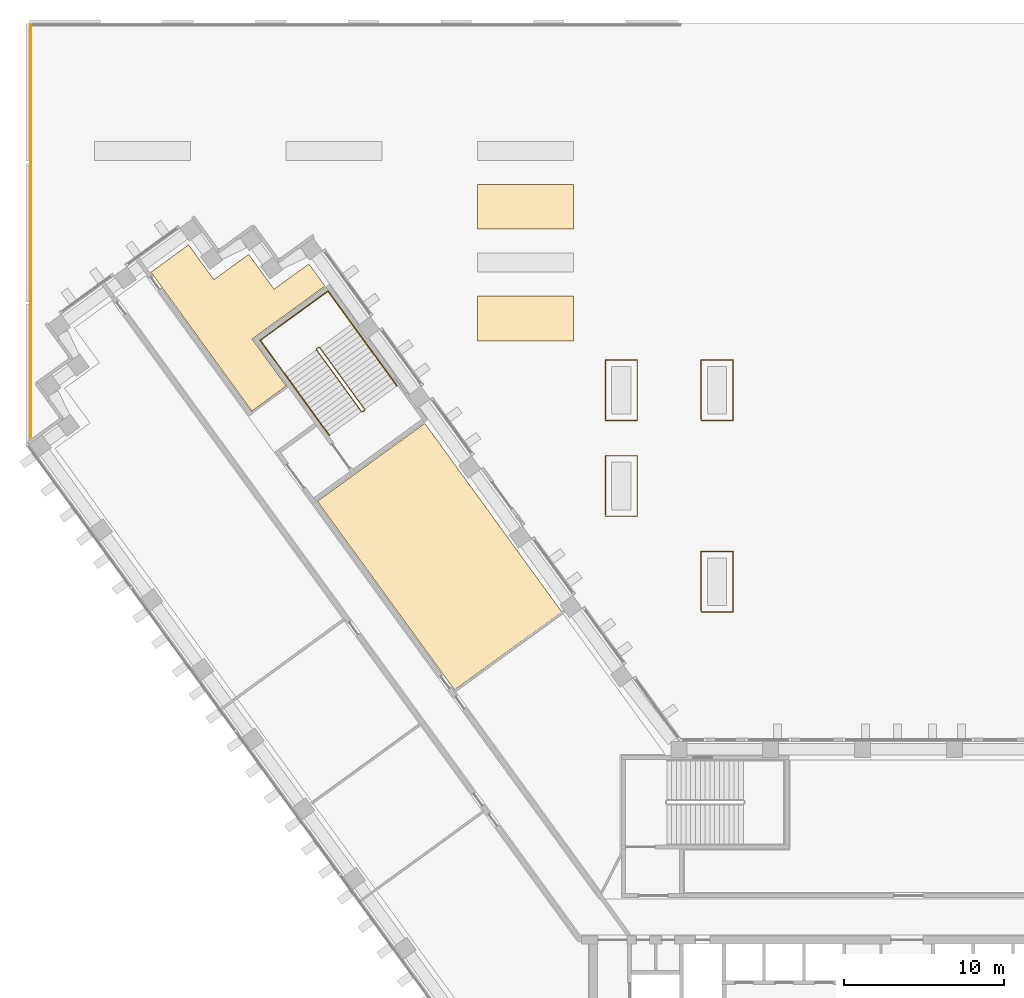
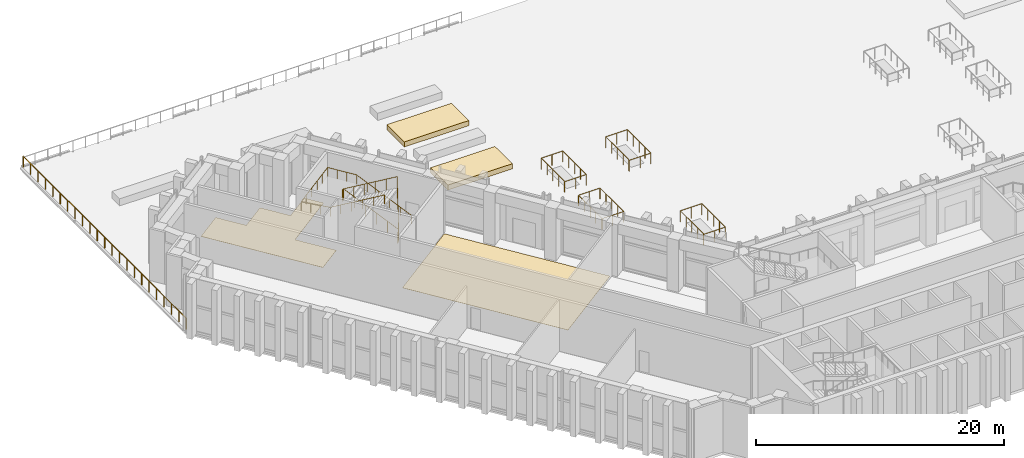
# One storey, part 22 of 25: 7 railings, 4 coverings.
"""IFC4 building model written with IfcOpenShell, lengths in metres."""

from ifc_helpers import new_model, si_unit, direction, frame, origin, origin_2d, place, context, subcontext, project, spatial, polyline, circle, outline, extrude, material, layer, layer_set, type_object, element, save


model = new_model("IFC4")

# Units and contexts
model_context = context("Model", 3, precision=1e-05, world=origin(), true_north=direction((0.0, 1.0)))
body_context = subcontext(model_context, "Body", "Model", "MODEL_VIEW")
ifc_project = project(units=[si_unit("LENGTHUNIT", "METRE"), si_unit("AREAUNIT", "SQUARE_METRE"), si_unit("VOLUMEUNIT", "CUBIC_METRE"), si_unit("PLANEANGLEUNIT", "RADIAN"), si_unit("MASSUNIT", "GRAM", prefix="KILO")], contexts=[model_context])

# Site, building, storey
site_placement = place(None, origin())
site = spatial("IfcSite", under=ifc_project, at=site_placement, CompositionType="ELEMENT")
building_placement = place(site_placement, origin())
building = spatial("IfcBuilding", under=site, at=building_placement, Name="Quipu Civic Tower", CompositionType="ELEMENT")
storey_placement = place(building_placement, frame((0.0, 0.0, 6.0)))
storey = spatial("IfcBuildingStorey", under=building, at=storey_placement, Name="L01", CompositionType="ELEMENT", Elevation=6.0)

# Coverings
ifc_material_1 = material(Name="Carpet tile on raised access floor")
ifc_layer_1 = layer(ifc_material_1, 0.02001953125)
ifc_layer_set_1 = layer_set([ifc_layer_1], Name="Carpet tile on raised access floor")
covering_type_1 = type_object("IfcCoveringType", Name="Carpet tile floor finish 20", PredefinedType="FLOORING", material=ifc_layer_set_1)
covering_1_placement = place(storey_placement, origin())
element("IfcCovering", 1, at=covering_1_placement, inside=storey, type_object=covering_type_1, Name="Carpet tile floor finish 20", PredefinedType="FLOORING", context=body_context, shape_type="SweptSolid", body=[
    extrude(outline(polyline([(-37.0380859375, 26.0380859375), (-30.31494140625, 30.922119140625), (-21.73095703125, 19.10595703125), (-28.4541015625, 14.221923828125), (-37.0380859375, 26.0380859375)])), origin(), (0.0, 0.0, 1.0), 0.02001953125),
])
covering_2_placement = place(storey_placement, origin())
element("IfcCovering", 2, at=covering_2_placement, inside=storey, type_object=covering_type_1, Name="Carpet tile floor finish 20", PredefinedType="FLOORING", context=body_context, shape_type="SweptSolid", body=[
    extrude(outline(polyline([(-47.471923828125, 40.39794921875), (-45.116943359375, 42.10791015625), (-43.531982421875, 39.925048828125), (-41.346923828125, 41.510986328125), (-39.760009765625, 39.326904296875), (-37.574951171875, 40.9130859375), (-36.570068359375, 39.530029296875), (-41.139892578125, 36.208984375), (-38.998046875, 33.260009765625), (-41.15087890625, 31.697021484375), (-47.471923828125, 40.39794921875)])), origin(), (0.0, 0.0, 1.0), 0.02001953125),
])

# Railings
ifc_material_2 = material(Name="Steel S275", Category="steel")
railing_type_1 = type_object("IfcRailingType", Name="Deck balustrade G2", PredefinedType="BALUSTRADE", material=ifc_material_2)
railing_1_placement = place(storey_placement, frame((-54.994384765625, 56.0, 0.0)))
element("IfcRailing", 3, at=railing_1_placement, inside=storey, type_object=railing_type_1, Name="Deck balustrade 4", PredefinedType="BALUSTRADE", context=body_context, shape_type="SweptSolid", body=[
    extrude(circle(Radius=0.02490234375, at=origin_2d()), frame((0.0, 0.0, 1.0751953125), z_axis=(0.0, -1.0, 0.0), x_axis=(1.0, 0.0, 0.0)), (0.0, 0.0, 1.0), 26.257568359375),
    extrude(circle(Radius=0.02490234375, at=origin_2d()), origin(), (0.0, 0.0, 1.0), 1.050048828125),
    extrude(circle(Radius=0.02490234375, at=origin_2d()), frame((0.0, -1.193603515625, 0.0)), (0.0, 0.0, 1.0), 1.050048828125),
    extrude(circle(Radius=0.02490234375, at=origin_2d()), frame((0.0, -2.386962890625, 0.0)), (0.0, 0.0, 1.0), 1.050048828125),
    extrude(circle(Radius=0.02490234375, at=origin_2d()), frame((0.0, -3.58056640625, 0.0)), (0.0, 0.0, 1.0), 1.050048828125),
    extrude(circle(Radius=0.02490234375, at=origin_2d()), frame((0.0, -4.774169921875, 0.0)), (0.0, 0.0, 1.0), 1.050048828125),
    extrude(circle(Radius=0.02490234375, at=origin_2d()), frame((0.0, -5.967529296875, 0.0)), (0.0, 0.0, 1.0), 1.050048828125),
    extrude(circle(Radius=0.02490234375, at=origin_2d()), frame((0.0, -7.1611328125, 0.0)), (0.0, 0.0, 1.0), 1.050048828125),
    extrude(circle(Radius=0.02490234375, at=origin_2d()), frame((0.0, -8.354736328125, 0.0)), (0.0, 0.0, 1.0), 1.050048828125),
    extrude(circle(Radius=0.02490234375, at=origin_2d()), frame((0.0, -9.548095703125, 0.0)), (0.0, 0.0, 1.0), 1.050048828125),
    extrude(circle(Radius=0.02490234375, at=origin_2d()), frame((0.0, -10.74169921875, 0.0)), (0.0, 0.0, 1.0), 1.050048828125),
    extrude(circle(Radius=0.02490234375, at=origin_2d()), frame((0.0, -11.935302734375, 0.0)), (0.0, 0.0, 1.0), 1.050048828125),
    extrude(circle(Radius=0.02490234375, at=origin_2d()), frame((0.0, -13.12890625, 0.0)), (0.0, 0.0, 1.0), 1.050048828125),
    extrude(circle(Radius=0.02490234375, at=origin_2d()), frame((0.0, -14.322265625, 0.0)), (0.0, 0.0, 1.0), 1.050048828125),
    extrude(circle(Radius=0.02490234375, at=origin_2d()), frame((0.0, -15.515869140625, 0.0)), (0.0, 0.0, 1.0), 1.050048828125),
    extrude(circle(Radius=0.02490234375, at=origin_2d()), frame((0.0, -16.70947265625, 0.0)), (0.0, 0.0, 1.0), 1.050048828125),
    extrude(circle(Radius=0.02490234375, at=origin_2d()), frame((0.0, -17.90283203125, 0.0)), (0.0, 0.0, 1.0), 1.050048828125),
    extrude(circle(Radius=0.02490234375, at=origin_2d()), frame((0.0, -19.096435546875, 0.0)), (0.0, 0.0, 1.0), 1.050048828125),
    extrude(circle(Radius=0.02490234375, at=origin_2d()), frame((0.0, -20.2900390625, 0.0)), (0.0, 0.0, 1.0), 1.050048828125),
    extrude(circle(Radius=0.02490234375, at=origin_2d()), frame((0.0, -21.4833984375, 0.0)), (0.0, 0.0, 1.0), 1.050048828125),
    extrude(circle(Radius=0.02490234375, at=origin_2d()), frame((0.0, -22.677001953125, 0.0)), (0.0, 0.0, 1.0), 1.050048828125),
    extrude(circle(Radius=0.02490234375, at=origin_2d()), frame((0.0, -23.87060546875, 0.0)), (0.0, 0.0, 1.0), 1.050048828125),
    extrude(circle(Radius=0.02490234375, at=origin_2d()), frame((0.0, -25.06396484375, 0.0)), (0.0, 0.0, 1.0), 1.050048828125),
    extrude(circle(Radius=0.02490234375, at=origin_2d()), frame((0.0, -26.257568359375, 0.0)), (0.0, 0.0, 1.0), 1.050048828125),
])
railing_2_placement = place(storey_placement, frame((-13.0, 19.10009765625, 0.0)))
element("IfcRailing", 4, at=railing_2_placement, inside=storey, type_object=railing_type_1, Name="Rooflight guard 1", PredefinedType="BALUSTRADE", context=body_context, shape_type="SweptSolid", body=[
    extrude(circle(Radius=0.02490234375, at=origin_2d()), frame((0.0, 0.0, 1.0751953125), z_axis=(1.0, 0.0, 0.0), x_axis=(0.0, 1.0, 0.0)), (0.0, 0.0, 1.0), 2.0),
    extrude(circle(Radius=0.02490234375, at=origin_2d()), frame((2.0, 0.0, 1.0751953125), z_axis=(0.0, 1.0, 0.0), x_axis=(-1.0, 0.0, 0.0)), (0.0, 0.0, 1.0), 3.7998046875),
    extrude(circle(Radius=0.02490234375, at=origin_2d()), frame((2.0, 3.7998046875, 1.0751953125), z_axis=(-1.0, 0.0, 0.0), x_axis=(0.0, -1.0, 0.0)), (0.0, 0.0, 1.0), 2.0),
    extrude(circle(Radius=0.02490234375, at=origin_2d()), frame((0.0, 3.7998046875, 1.0751953125), z_axis=(0.0, -1.0, 0.0), x_axis=(1.0, 0.0, 0.0)), (0.0, 0.0, 1.0), 3.72998046875),
    extrude(circle(Radius=0.02490234375, at=origin_2d()), origin(), (0.0, 0.0, 1.0), 1.050048828125),
    extrude(circle(Radius=0.02490234375, at=origin_2d()), frame((1.0, 0.0, 0.0)), (0.0, 0.0, 1.0), 1.050048828125),
    extrude(circle(Radius=0.02490234375, at=origin_2d()), frame((2.0, 0.0, 0.0)), (0.0, 0.0, 1.0), 1.050048828125),
    extrude(circle(Radius=0.02490234375, at=origin_2d()), frame((2.0, 0.949951171875, 0.0)), (0.0, 0.0, 1.0), 1.050048828125),
    extrude(circle(Radius=0.02490234375, at=origin_2d()), frame((2.0, 1.89990234375, 0.0)), (0.0, 0.0, 1.0), 1.050048828125),
    extrude(circle(Radius=0.02490234375, at=origin_2d()), frame((2.0, 2.849853515625, 0.0)), (0.0, 0.0, 1.0), 1.050048828125),
    extrude(circle(Radius=0.02490234375, at=origin_2d()), frame((2.0, 3.7998046875, 0.0)), (0.0, 0.0, 1.0), 1.050048828125),
    extrude(circle(Radius=0.02490234375, at=origin_2d()), frame((1.0, 3.7998046875, 0.0)), (0.0, 0.0, 1.0), 1.050048828125),
    extrude(circle(Radius=0.02490234375, at=origin_2d()), frame((0.0, 3.7998046875, 0.0)), (0.0, 0.0, 1.0), 1.050048828125),
    extrude(circle(Radius=0.02490234375, at=origin_2d()), frame((0.0, 2.8671875, 0.0)), (0.0, 0.0, 1.0), 1.050048828125),
    extrude(circle(Radius=0.02490234375, at=origin_2d()), frame((0.0, 1.934814453125, 0.0)), (0.0, 0.0, 1.0), 1.050048828125),
    extrude(circle(Radius=0.02490234375, at=origin_2d()), frame((0.0, 1.00244140625, 0.0)), (0.0, 0.0, 1.0), 1.050048828125),
    extrude(circle(Radius=0.02490234375, at=origin_2d()), frame((0.0, 0.06982421875, 0.0)), (0.0, 0.0, 1.0), 1.050048828125),
])
railing_3_placement = place(storey_placement, frame((-19.0, 25.10009765625, 0.0)))
element("IfcRailing", 5, at=railing_3_placement, inside=storey, type_object=railing_type_1, Name="Rooflight guard 3", PredefinedType="BALUSTRADE", context=body_context, shape_type="SweptSolid", body=[
    extrude(circle(Radius=0.02490234375, at=origin_2d()), frame((0.0, 0.0, 1.0751953125), z_axis=(1.0, 0.0, 0.0), x_axis=(0.0, 1.0, 0.0)), (0.0, 0.0, 1.0), 2.0),
    extrude(circle(Radius=0.02490234375, at=origin_2d()), frame((2.0, 0.0, 1.0751953125), z_axis=(0.0, 1.0, 0.0), x_axis=(-1.0, 0.0, 0.0)), (0.0, 0.0, 1.0), 3.7998046875),
    extrude(circle(Radius=0.02490234375, at=origin_2d()), frame((2.0, 3.7998046875, 1.0751953125), z_axis=(-1.0, 0.0, 0.0), x_axis=(0.0, -1.0, 0.0)), (0.0, 0.0, 1.0), 2.0),
    extrude(circle(Radius=0.02490234375, at=origin_2d()), frame((0.0, 3.7998046875, 1.0751953125), z_axis=(0.0, -1.0, 0.0), x_axis=(1.0, 0.0, 0.0)), (0.0, 0.0, 1.0), 3.72998046875),
    extrude(circle(Radius=0.02490234375, at=origin_2d()), origin(), (0.0, 0.0, 1.0), 1.050048828125),
    extrude(circle(Radius=0.02490234375, at=origin_2d()), frame((1.0, 0.0, 0.0)), (0.0, 0.0, 1.0), 1.050048828125),
    extrude(circle(Radius=0.02490234375, at=origin_2d()), frame((2.0, 0.0, 0.0)), (0.0, 0.0, 1.0), 1.050048828125),
    extrude(circle(Radius=0.02490234375, at=origin_2d()), frame((2.0, 0.949951171875, 0.0)), (0.0, 0.0, 1.0), 1.050048828125),
    extrude(circle(Radius=0.02490234375, at=origin_2d()), frame((2.0, 1.89990234375, 0.0)), (0.0, 0.0, 1.0), 1.050048828125),
    extrude(circle(Radius=0.02490234375, at=origin_2d()), frame((2.0, 2.849853515625, 0.0)), (0.0, 0.0, 1.0), 1.050048828125),
    extrude(circle(Radius=0.02490234375, at=origin_2d()), frame((2.0, 3.7998046875, 0.0)), (0.0, 0.0, 1.0), 1.050048828125),
    extrude(circle(Radius=0.02490234375, at=origin_2d()), frame((1.0, 3.7998046875, 0.0)), (0.0, 0.0, 1.0), 1.050048828125),
    extrude(circle(Radius=0.02490234375, at=origin_2d()), frame((0.0, 3.7998046875, 0.0)), (0.0, 0.0, 1.0), 1.050048828125),
    extrude(circle(Radius=0.02490234375, at=origin_2d()), frame((0.0, 2.8671875, 0.0)), (0.0, 0.0, 1.0), 1.050048828125),
    extrude(circle(Radius=0.02490234375, at=origin_2d()), frame((0.0, 1.934814453125, 0.0)), (0.0, 0.0, 1.0), 1.050048828125),
    extrude(circle(Radius=0.02490234375, at=origin_2d()), frame((0.0, 1.00244140625, 0.0)), (0.0, 0.0, 1.0), 1.050048828125),
    extrude(circle(Radius=0.02490234375, at=origin_2d()), frame((0.0, 0.06982421875, 0.0)), (0.0, 0.0, 1.0), 1.050048828125),
])
railing_4_placement = place(storey_placement, frame((-19.0, 31.10009765625, 0.0)))
element("IfcRailing", 6, at=railing_4_placement, inside=storey, type_object=railing_type_1, Name="Rooflight guard 5", PredefinedType="BALUSTRADE", context=body_context, shape_type="SweptSolid", body=[
    extrude(circle(Radius=0.02490234375, at=origin_2d()), frame((0.0, 0.0, 1.0751953125), z_axis=(1.0, 0.0, 0.0), x_axis=(0.0, 1.0, 0.0)), (0.0, 0.0, 1.0), 2.0),
    extrude(circle(Radius=0.02490234375, at=origin_2d()), frame((2.0, 0.0, 1.0751953125), z_axis=(0.0, 1.0, 0.0), x_axis=(-1.0, 0.0, 0.0)), (0.0, 0.0, 1.0), 3.7998046875),
    extrude(circle(Radius=0.02490234375, at=origin_2d()), frame((2.0, 3.7998046875, 1.0751953125), z_axis=(-1.0, 0.0, 0.0), x_axis=(0.0, -1.0, 0.0)), (0.0, 0.0, 1.0), 2.0),
    extrude(circle(Radius=0.02490234375, at=origin_2d()), frame((0.0, 3.7998046875, 1.0751953125), z_axis=(0.0, -1.0, 0.0), x_axis=(1.0, 0.0, 0.0)), (0.0, 0.0, 1.0), 3.72998046875),
    extrude(circle(Radius=0.02490234375, at=origin_2d()), origin(), (0.0, 0.0, 1.0), 1.050048828125),
    extrude(circle(Radius=0.02490234375, at=origin_2d()), frame((1.0, 0.0, 0.0)), (0.0, 0.0, 1.0), 1.050048828125),
    extrude(circle(Radius=0.02490234375, at=origin_2d()), frame((2.0, 0.0, 0.0)), (0.0, 0.0, 1.0), 1.050048828125),
    extrude(circle(Radius=0.02490234375, at=origin_2d()), frame((2.0, 0.949951171875, 0.0)), (0.0, 0.0, 1.0), 1.050048828125),
    extrude(circle(Radius=0.02490234375, at=origin_2d()), frame((2.0, 1.89990234375, 0.0)), (0.0, 0.0, 1.0), 1.050048828125),
    extrude(circle(Radius=0.02490234375, at=origin_2d()), frame((2.0, 2.849853515625, 0.0)), (0.0, 0.0, 1.0), 1.050048828125),
    extrude(circle(Radius=0.02490234375, at=origin_2d()), frame((2.0, 3.7998046875, 0.0)), (0.0, 0.0, 1.0), 1.050048828125),
    extrude(circle(Radius=0.02490234375, at=origin_2d()), frame((1.0, 3.7998046875, 0.0)), (0.0, 0.0, 1.0), 1.050048828125),
    extrude(circle(Radius=0.02490234375, at=origin_2d()), frame((0.0, 3.7998046875, 0.0)), (0.0, 0.0, 1.0), 1.050048828125),
    extrude(circle(Radius=0.02490234375, at=origin_2d()), frame((0.0, 2.8671875, 0.0)), (0.0, 0.0, 1.0), 1.050048828125),
    extrude(circle(Radius=0.02490234375, at=origin_2d()), frame((0.0, 1.934814453125, 0.0)), (0.0, 0.0, 1.0), 1.050048828125),
    extrude(circle(Radius=0.02490234375, at=origin_2d()), frame((0.0, 1.00244140625, 0.0)), (0.0, 0.0, 1.0), 1.050048828125),
    extrude(circle(Radius=0.02490234375, at=origin_2d()), frame((0.0, 0.06982421875, 0.0)), (0.0, 0.0, 1.0), 1.050048828125),
])
railing_5_placement = place(storey_placement, frame((-13.0, 31.10009765625, 0.0)))
element("IfcRailing", 7, at=railing_5_placement, inside=storey, type_object=railing_type_1, Name="Rooflight guard 6", PredefinedType="BALUSTRADE", context=body_context, shape_type="SweptSolid", body=[
    extrude(circle(Radius=0.02490234375, at=origin_2d()), frame((0.0, 0.0, 1.0751953125), z_axis=(1.0, 0.0, 0.0), x_axis=(0.0, 1.0, 0.0)), (0.0, 0.0, 1.0), 2.0),
    extrude(circle(Radius=0.02490234375, at=origin_2d()), frame((2.0, 0.0, 1.0751953125), z_axis=(0.0, 1.0, 0.0), x_axis=(-1.0, 0.0, 0.0)), (0.0, 0.0, 1.0), 3.7998046875),
    extrude(circle(Radius=0.02490234375, at=origin_2d()), frame((2.0, 3.7998046875, 1.0751953125), z_axis=(-1.0, 0.0, 0.0), x_axis=(0.0, -1.0, 0.0)), (0.0, 0.0, 1.0), 2.0),
    extrude(circle(Radius=0.02490234375, at=origin_2d()), frame((0.0, 3.7998046875, 1.0751953125), z_axis=(0.0, -1.0, 0.0), x_axis=(1.0, 0.0, 0.0)), (0.0, 0.0, 1.0), 3.72998046875),
    extrude(circle(Radius=0.02490234375, at=origin_2d()), origin(), (0.0, 0.0, 1.0), 1.050048828125),
    extrude(circle(Radius=0.02490234375, at=origin_2d()), frame((1.0, 0.0, 0.0)), (0.0, 0.0, 1.0), 1.050048828125),
    extrude(circle(Radius=0.02490234375, at=origin_2d()), frame((2.0, 0.0, 0.0)), (0.0, 0.0, 1.0), 1.050048828125),
    extrude(circle(Radius=0.02490234375, at=origin_2d()), frame((2.0, 0.949951171875, 0.0)), (0.0, 0.0, 1.0), 1.050048828125),
    extrude(circle(Radius=0.02490234375, at=origin_2d()), frame((2.0, 1.89990234375, 0.0)), (0.0, 0.0, 1.0), 1.050048828125),
    extrude(circle(Radius=0.02490234375, at=origin_2d()), frame((2.0, 2.849853515625, 0.0)), (0.0, 0.0, 1.0), 1.050048828125),
    extrude(circle(Radius=0.02490234375, at=origin_2d()), frame((2.0, 3.7998046875, 0.0)), (0.0, 0.0, 1.0), 1.050048828125),
    extrude(circle(Radius=0.02490234375, at=origin_2d()), frame((1.0, 3.7998046875, 0.0)), (0.0, 0.0, 1.0), 1.050048828125),
    extrude(circle(Radius=0.02490234375, at=origin_2d()), frame((0.0, 3.7998046875, 0.0)), (0.0, 0.0, 1.0), 1.050048828125),
    extrude(circle(Radius=0.02490234375, at=origin_2d()), frame((0.0, 2.8671875, 0.0)), (0.0, 0.0, 1.0), 1.050048828125),
    extrude(circle(Radius=0.02490234375, at=origin_2d()), frame((0.0, 1.934814453125, 0.0)), (0.0, 0.0, 1.0), 1.050048828125),
    extrude(circle(Radius=0.02490234375, at=origin_2d()), frame((0.0, 1.00244140625, 0.0)), (0.0, 0.0, 1.0), 1.050048828125),
    extrude(circle(Radius=0.02490234375, at=origin_2d()), frame((0.0, 0.06982421875, 0.0)), (0.0, 0.0, 1.0), 1.050048828125),
])

# Coverings
ifc_material_3 = material(Name="Planting soil on drainage board")
ifc_layer_2 = layer(ifc_material_3, 0.5)
ifc_layer_set_2 = layer_set([ifc_layer_2], Name="Planting soil on drainage board")
covering_type_2 = type_object("IfcCoveringType", Name="Planted deck bed build-up", PredefinedType="FLOORING", material=ifc_layer_set_2)
covering_3_placement = place(storey_placement, origin())
element("IfcCovering", 8, at=covering_3_placement, inside=storey, type_object=covering_type_2, Name="Garden bed 1", PredefinedType="FLOORING", context=body_context, shape_type="SweptSolid", body=[
    extrude(outline(polyline([(-27.0, 38.89990234375), (-21.0, 38.89990234375), (-21.0, 36.10009765625), (-27.0, 36.10009765625), (-27.0, 38.89990234375)])), origin(), (0.0, 0.0, 1.0), 0.5),
])
covering_4_placement = place(storey_placement, origin())
element("IfcCovering", 9, at=covering_4_placement, inside=storey, type_object=covering_type_2, Name="Garden bed 2", PredefinedType="FLOORING", context=body_context, shape_type="SweptSolid", body=[
    extrude(outline(polyline([(-27.0, 45.89990234375), (-21.0, 45.89990234375), (-21.0, 43.10009765625), (-27.0, 43.10009765625), (-27.0, 45.89990234375)])), origin(), (0.0, 0.0, 1.0), 0.5),
])

# Railings
ifc_material_4 = material(Name="Stainless steel", Category="steel")
railing_type_2 = type_object("IfcRailingType", Name="Stair guard 1100", PredefinedType="GUARDRAIL", material=ifc_material_4)
railing_6_placement = place(storey_placement, frame((-34.078857421875, 31.79736328125, 0.161865234375)))
element("IfcRailing", 10, at=railing_6_placement, inside=storey, type_object=railing_type_2, Name="Stair 6 guard", PredefinedType="GUARDRAIL", context=body_context, shape_type="SweptSolid", body=[
    extrude(circle(Radius=0.02392578125, at=origin_2d()), frame((0.0, 0.0, 1.076171875), z_axis=(-0.517357435691, 0.712105172387, 0.474602472807), x_axis=(-0.809026317077, -0.587772420479, 0.0)), (0.0, 0.0, 1.0), 5.453369140625),
    extrude(circle(Radius=0.02392578125, at=origin_2d()), frame((-2.8212890625, 3.88330078125, 3.6640625), z_axis=(-0.987846838465, 0.155430446612, 0.0), x_axis=(-0.155430446612, -0.987846838465, 0.0)), (0.0, 0.0, 1.0), 0.07080078125),
    extrude(circle(Radius=0.02392578125, at=origin_2d()), frame((-2.89111328125, 3.894287109375, 3.6640625), z_axis=(-0.809649071907, -0.586914287065, 0.0), x_axis=(0.586914287065, -0.809649071907, 0.0)), (0.0, 0.0, 1.0), 0.150146484375),
    extrude(circle(Radius=0.02392578125, at=origin_2d()), frame((-3.0126953125, 3.80615234375, 3.6640625), z_axis=(-0.062201348976, -0.395324129048, 0.916433208247), x_axis=(0.987846838465, -0.155430446612, 0.0)), (0.0, 0.0, 1.0), 0.176513671875),
    extrude(circle(Radius=0.02392578125, at=origin_2d()), frame((-3.023681640625, 3.736328125, 3.826171875), z_axis=(0.517357435691, -0.712105172387, 0.474602472807), x_axis=(0.809026317077, 0.587772420479, 0.0)), (0.0, 0.0, 1.0), 5.453369140625),
    extrude(circle(Radius=0.02392578125, at=origin_2d()), frame((-0.202392578125, -0.14697265625, 6.4140625), z_axis=(0.034776664367, 0.014017124923, -0.99929680467), x_axis=(-0.373837031195, 0.92749440651, 0.0)), (0.0, 0.0, 1.0), 5.50390625),
    extrude(circle(Radius=0.02392578125, at=origin_2d()), frame((-0.010986328125, -0.06982421875, 0.9140625), z_axis=(-0.809087927272, -0.587687609145, 0.0), x_axis=(0.587687609145, -0.809087927272, 0.0)), (0.0, 0.0, 1.0), 0.14990234375),
    extrude(circle(Radius=0.02099609375, at=origin_2d()), origin(), (0.0, 0.0, 1.0), 1.052001953125),
    extrude(circle(Radius=0.02099609375, at=origin_2d()), frame((-0.564208984375, 0.776611328125, 0.517578125)), (0.0, 0.0, 1.0), 1.052001953125),
    extrude(circle(Radius=0.02099609375, at=origin_2d()), frame((-1.12841796875, 1.55322265625, 1.03515625)), (0.0, 0.0, 1.0), 1.052001953125),
    extrude(circle(Radius=0.02099609375, at=origin_2d()), frame((-1.69287109375, 2.330078125, 1.552978515625)), (0.0, 0.0, 1.0), 1.052001953125),
    extrude(circle(Radius=0.02099609375, at=origin_2d()), frame((-2.257080078125, 3.106689453125, 2.070556640625)), (0.0, 0.0, 1.0), 1.052001953125),
    extrude(circle(Radius=0.02099609375, at=origin_2d()), frame((-2.8212890625, 3.88330078125, 2.588134765625)), (0.0, 0.0, 1.0), 1.052001953125),
    extrude(circle(Radius=0.02099609375, at=origin_2d()), frame((-2.89111328125, 3.894287109375, 2.588134765625)), (0.0, 0.0, 1.0), 1.052001953125),
    extrude(circle(Radius=0.02099609375, at=origin_2d()), frame((-3.0126953125, 3.80615234375, 2.588134765625)), (0.0, 0.0, 1.0), 1.052001953125),
    extrude(circle(Radius=0.02099609375, at=origin_2d()), frame((-3.023681640625, 3.736328125, 2.75)), (0.0, 0.0, 1.0), 1.052001953125),
    extrude(circle(Radius=0.02099609375, at=origin_2d()), frame((-2.45947265625, 2.959716796875, 3.267578125)), (0.0, 0.0, 1.0), 1.052001953125),
    extrude(circle(Radius=0.02099609375, at=origin_2d()), frame((-1.895263671875, 2.18310546875, 3.78515625)), (0.0, 0.0, 1.0), 1.052001953125),
    extrude(circle(Radius=0.02099609375, at=origin_2d()), frame((-1.330810546875, 1.40625, 4.302978515625)), (0.0, 0.0, 1.0), 1.052001953125),
    extrude(circle(Radius=0.02099609375, at=origin_2d()), frame((-0.7666015625, 0.629638671875, 4.820556640625)), (0.0, 0.0, 1.0), 1.052001953125),
    extrude(circle(Radius=0.02099609375, at=origin_2d()), frame((-0.202392578125, -0.14697265625, 5.338134765625)), (0.0, 0.0, 1.0), 1.052001953125),
    extrude(circle(Radius=0.02099609375, at=origin_2d()), frame((-0.1640625, -0.131591796875, 4.238037109375)), (0.0, 0.0, 1.0), 1.052001953125),
    extrude(circle(Radius=0.02099609375, at=origin_2d()), frame((-0.125732421875, -0.1162109375, 3.13818359375)), (0.0, 0.0, 1.0), 1.052001953125),
    extrude(circle(Radius=0.02099609375, at=origin_2d()), frame((-0.087646484375, -0.1005859375, 2.0380859375)), (0.0, 0.0, 1.0), 1.052001953125),
    extrude(circle(Radius=0.02099609375, at=origin_2d()), frame((-0.04931640625, -0.085205078125, 0.938232421875)), (0.0, 0.0, 1.0), 1.052001953125),
    extrude(circle(Radius=0.02099609375, at=origin_2d()), frame((-0.010986328125, -0.06982421875, -0.161865234375)), (0.0, 0.0, 1.0), 1.052001953125),
    extrude(circle(Radius=0.02099609375, at=origin_2d()), frame((-0.13232421875, -0.157958984375, -0.161865234375)), (0.0, 0.0, 1.0), 1.052001953125),
])
ifc_material_5 = material(Name="Stainless steel", Category="steel")
railing_type_3 = type_object("IfcRailingType", Name="Stair handrail", PredefinedType="HANDRAIL", material=ifc_material_5)
railing_7_placement = place(storey_placement, frame((-32.056396484375, 33.266845703125, 0.161865234375)))
element("IfcRailing", 11, at=railing_7_placement, inside=storey, type_object=railing_type_3, Name="Stair 6 handrail", PredefinedType="HANDRAIL", context=body_context, shape_type="SweptSolid", body=[
    extrude(circle(Radius=0.02392578125, at=origin_2d()), frame((0.0, 0.0, 0.8759765625), z_axis=(-0.517357435691, 0.712105172387, 0.474602472807), x_axis=(-0.809026317077, -0.587772420479, 0.0)), (0.0, 0.0, 1.0), 5.453369140625),
    extrude(circle(Radius=0.02392578125, at=origin_2d()), frame((-2.8212890625, 3.88330078125, 3.4638671875), z_axis=(-0.587767432704, 0.809029940764, 0.0), x_axis=(-0.809029940764, -0.587767432704, 0.0)), (0.0, 0.0, 1.0), 2.550048828125),
    extrude(circle(Radius=0.02392578125, at=origin_2d()), frame((-4.320068359375, 5.9462890625, 3.4638671875), z_axis=(-0.809009483706, -0.587795589702, 0.0), x_axis=(0.587795589702, -0.809009483706, 0.0)), (0.0, 0.0, 1.0), 5.25),
    extrude(circle(Radius=0.02392578125, at=origin_2d()), frame((-8.5673828125, 2.8603515625, 3.4638671875), z_axis=(0.586586817691, -0.807404888335, 0.0633502297), x_axis=(0.809029940764, 0.587767432704, 0.0)), (0.0, 0.0, 1.0), 2.55517578125),
    extrude(circle(Radius=0.02392578125, at=origin_2d()), frame((-7.068603515625, 0.79736328125, 3.6259765625), z_axis=(0.517357435691, -0.712105172387, 0.474602472807), x_axis=(0.809026317077, 0.587772420479, 0.0)), (0.0, 0.0, 1.0), 5.453369140625),
    extrude(circle(Radius=0.02099609375, at=origin_2d()), origin(), (0.0, 0.0, 1.0), 0.851806640625),
    extrude(circle(Radius=0.02099609375, at=origin_2d()), frame((-0.564208984375, 0.776611328125, 0.517578125)), (0.0, 0.0, 1.0), 0.851806640625),
    extrude(circle(Radius=0.02099609375, at=origin_2d()), frame((-1.12841796875, 1.55322265625, 1.03515625)), (0.0, 0.0, 1.0), 0.851806640625),
    extrude(circle(Radius=0.02099609375, at=origin_2d()), frame((-1.69287109375, 2.330078125, 1.552978515625)), (0.0, 0.0, 1.0), 0.851806640625),
    extrude(circle(Radius=0.02099609375, at=origin_2d()), frame((-2.257080078125, 3.106689453125, 2.070556640625)), (0.0, 0.0, 1.0), 0.851806640625),
    extrude(circle(Radius=0.02099609375, at=origin_2d()), frame((-2.8212890625, 3.88330078125, 2.588134765625)), (0.0, 0.0, 1.0), 0.851806640625),
    extrude(circle(Radius=0.02099609375, at=origin_2d()), frame((-3.32080078125, 4.571044921875, 2.588134765625)), (0.0, 0.0, 1.0), 0.851806640625),
    extrude(circle(Radius=0.02099609375, at=origin_2d()), frame((-3.820556640625, 5.258544921875, 2.588134765625)), (0.0, 0.0, 1.0), 0.851806640625),
    extrude(circle(Radius=0.02099609375, at=origin_2d()), frame((-4.320068359375, 5.9462890625, 2.588134765625)), (0.0, 0.0, 1.0), 0.851806640625),
    extrude(circle(Radius=0.02099609375, at=origin_2d()), frame((-5.16943359375, 5.3291015625, 2.588134765625)), (0.0, 0.0, 1.0), 0.851806640625),
    extrude(circle(Radius=0.02099609375, at=origin_2d()), frame((-6.01904296875, 4.7119140625, 2.588134765625)), (0.0, 0.0, 1.0), 0.851806640625),
    extrude(circle(Radius=0.02099609375, at=origin_2d()), frame((-6.868408203125, 4.0947265625, 2.588134765625)), (0.0, 0.0, 1.0), 0.851806640625),
    extrude(circle(Radius=0.02099609375, at=origin_2d()), frame((-7.718017578125, 3.4775390625, 2.588134765625)), (0.0, 0.0, 1.0), 0.851806640625),
    extrude(circle(Radius=0.02099609375, at=origin_2d()), frame((-8.5673828125, 2.8603515625, 2.588134765625)), (0.0, 0.0, 1.0), 0.851806640625),
    extrude(circle(Radius=0.02099609375, at=origin_2d()), frame((-8.06787109375, 2.172607421875, 2.64208984375)), (0.0, 0.0, 1.0), 0.851806640625),
    extrude(circle(Radius=0.02099609375, at=origin_2d()), frame((-7.568115234375, 1.485107421875, 2.696044921875)), (0.0, 0.0, 1.0), 0.851806640625),
    extrude(circle(Radius=0.02099609375, at=origin_2d()), frame((-7.068603515625, 0.79736328125, 2.75)), (0.0, 0.0, 1.0), 0.851806640625),
    extrude(circle(Radius=0.02099609375, at=origin_2d()), frame((-6.50439453125, 0.020751953125, 3.267578125)), (0.0, 0.0, 1.0), 0.851806640625),
    extrude(circle(Radius=0.02099609375, at=origin_2d()), frame((-5.940185546875, -0.755859375, 3.78515625)), (0.0, 0.0, 1.0), 0.851806640625),
    extrude(circle(Radius=0.02099609375, at=origin_2d()), frame((-5.375732421875, -1.53271484375, 4.302978515625)), (0.0, 0.0, 1.0), 0.851806640625),
    extrude(circle(Radius=0.02099609375, at=origin_2d()), frame((-4.8115234375, -2.309326171875, 4.820556640625)), (0.0, 0.0, 1.0), 0.851806640625),
    extrude(circle(Radius=0.02099609375, at=origin_2d()), frame((-4.247314453125, -3.0859375, 5.338134765625)), (0.0, 0.0, 1.0), 0.851806640625),
])

save(model, "model.ifc")
